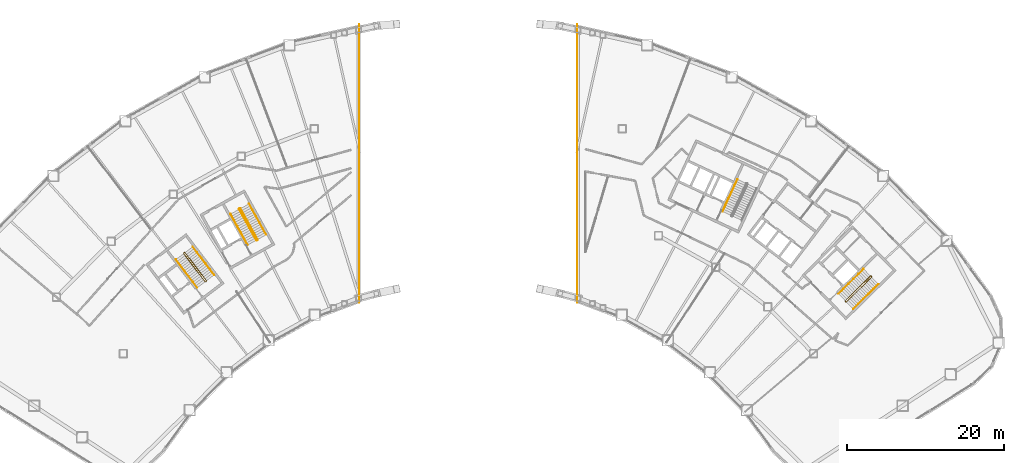
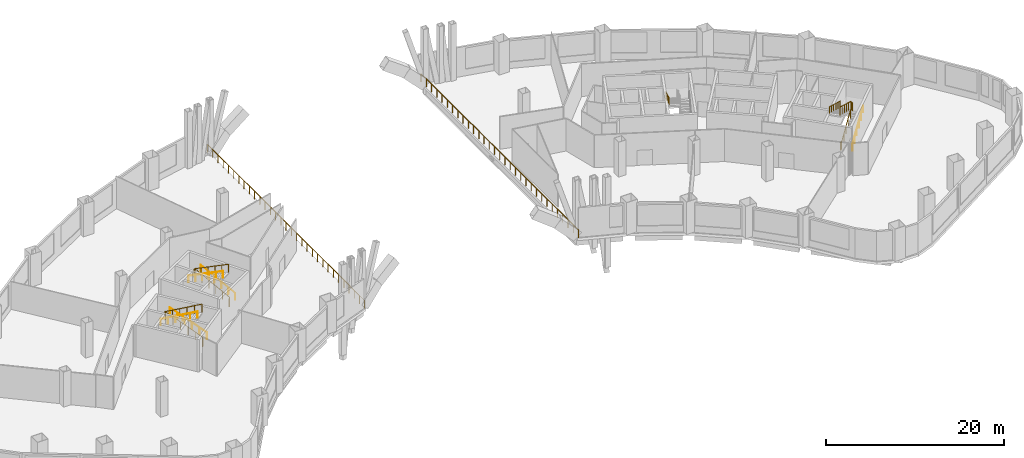
# One storey, part 13 of 14: 12 railings.
"""IFC4 building model written with IfcOpenShell, lengths in metres."""

from ifc_helpers import new_model, si_unit, direction, frame, origin, origin_2d, place, context, subcontext, project, spatial, circle, extrude, material, type_object, element, save


model = new_model("IFC4")

# Units and contexts
model_context = context("Model", 3, precision=1e-05, world=origin(), true_north=direction((0.0, 1.0)))
body_context = subcontext(model_context, "Body", "Model", "MODEL_VIEW")
ifc_project = project(units=[si_unit("LENGTHUNIT", "METRE"), si_unit("AREAUNIT", "SQUARE_METRE"), si_unit("VOLUMEUNIT", "CUBIC_METRE"), si_unit("PLANEANGLEUNIT", "RADIAN"), si_unit("MASSUNIT", "GRAM", prefix="KILO")], contexts=[model_context])

# Site, building, storey
site_placement = place(None, origin())
site = spatial("IfcSite", under=ifc_project, at=site_placement, CompositionType="ELEMENT")
building_placement = place(site_placement, origin())
building = spatial("IfcBuilding", under=site, at=building_placement, Name="Tuul Gate Civic Tower", CompositionType="ELEMENT")
storey_placement = place(building_placement, frame((0.0, 0.0, 17.10009765625)))
storey = spatial("IfcBuildingStorey", under=building, at=storey_placement, Name="Level 03", CompositionType="ELEMENT", Elevation=17.10009765625)

# Railings
ifc_material_1 = material(Name="Painted steel", Category="steel")
railing_type_1 = type_object("IfcRailingType", Name="Stair guard", PredefinedType="GUARDRAIL", material=ifc_material_1)
railing_1_placement = place(storey_placement, frame((-33.382080078125, -13.515380859375, 0.0)))
element("IfcRailing", 1, at=railing_1_placement, inside=storey, type_object=railing_type_1, Name="Level 03 ST-1 stair guard 1", PredefinedType="GUARDRAIL", context=body_context, shape_type="SweptSolid", body=[
    extrude(circle(Radius=0.02392578125, at=origin_2d()), frame((0.0, 0.0, 1.076171875), z_axis=(-0.795879841968, -0.605454603706, 0.0), x_axis=(0.605454603706, -0.795879841968, 0.0)), (0.0, 0.0, 1.0), 0.10009765625),
    extrude(circle(Radius=0.02392578125, at=origin_2d()), frame((-0.07958984375, -0.060546875, 1.076171875), z_axis=(0.408991890351, 0.599481263939, 0.688002796371), x_axis=(-0.826063974707, 0.563576356576, 0.0)), (0.0, 0.0, 1.0), 0.2177734375),
    extrude(circle(Radius=0.02392578125, at=origin_2d()), frame((0.009521484375, 0.070068359375, 1.22607421875), z_axis=(-0.541802573537, 0.711646640476, 0.44722369169), x_axis=(-0.795649622695, -0.605757111312, 0.0)), (0.0, 0.0, 1.0), 5.031005859375),
    extrude(circle(Radius=0.02392578125, at=origin_2d()), frame((-2.71630859375, 3.650390625, 3.47607421875), z_axis=(-0.990893089246, 0.134650977284, 0.0), x_axis=(-0.134650977284, -0.990893089246, 0.0)), (0.0, 0.0, 1.0), 0.07080078125),
    extrude(circle(Radius=0.02392578125, at=origin_2d()), frame((-2.786376953125, 3.659912109375, 3.47607421875), z_axis=(-0.795879841968, -0.605454603706, 0.0), x_axis=(0.605454603706, -0.795879841968, 0.0)), (0.0, 0.0, 1.0), 0.10009765625),
    extrude(circle(Radius=0.02392578125, at=origin_2d()), frame((-2.865966796875, 3.599365234375, 3.47607421875), z_axis=(-0.057447065493, -0.422751481959, 0.904423031091), x_axis=(0.990893089246, -0.134650977284, 0.0)), (0.0, 0.0, 1.0), 0.165771484375),
    extrude(circle(Radius=0.02392578125, at=origin_2d()), frame((-2.87548828125, 3.529296875, 3.6259765625), z_axis=(0.541802573537, -0.711646640476, 0.44722369169), x_axis=(0.795649622695, 0.605757111312, 0.0)), (0.0, 0.0, 1.0), 5.031005859375),
    extrude(circle(Radius=0.02099609375, at=origin_2d()), origin(), (0.0, 0.0, 1.0), 1.052001953125),
    extrude(circle(Radius=0.02099609375, at=origin_2d()), frame((-0.07958984375, -0.060546875, 0.0)), (0.0, 0.0, 1.0), 1.052001953125),
    extrude(circle(Radius=0.02099609375, at=origin_2d()), frame((0.009521484375, 0.070068359375, 0.14990234375)), (0.0, 0.0, 1.0), 1.052001953125),
    extrude(circle(Radius=0.02099609375, at=origin_2d()), frame((-0.53564453125, 0.7861328125, 0.599853515625)), (0.0, 0.0, 1.0), 1.052001953125),
    extrude(circle(Radius=0.02099609375, at=origin_2d()), frame((-1.080810546875, 1.502197265625, 1.0498046875)), (0.0, 0.0, 1.0), 1.052001953125),
    extrude(circle(Radius=0.02099609375, at=origin_2d()), frame((-1.6259765625, 2.21826171875, 1.5)), (0.0, 0.0, 1.0), 1.052001953125),
    extrude(circle(Radius=0.02099609375, at=origin_2d()), frame((-2.171142578125, 2.934326171875, 1.949951171875)), (0.0, 0.0, 1.0), 1.052001953125),
    extrude(circle(Radius=0.02099609375, at=origin_2d()), frame((-2.71630859375, 3.650390625, 2.39990234375)), (0.0, 0.0, 1.0), 1.052001953125),
    extrude(circle(Radius=0.02099609375, at=origin_2d()), frame((-2.786376953125, 3.659912109375, 2.39990234375)), (0.0, 0.0, 1.0), 1.052001953125),
    extrude(circle(Radius=0.02099609375, at=origin_2d()), frame((-2.865966796875, 3.599365234375, 2.39990234375)), (0.0, 0.0, 1.0), 1.052001953125),
    extrude(circle(Radius=0.02099609375, at=origin_2d()), frame((-2.87548828125, 3.529296875, 2.5498046875)), (0.0, 0.0, 1.0), 1.052001953125),
    extrude(circle(Radius=0.02099609375, at=origin_2d()), frame((-2.330322265625, 2.813232421875, 2.999755859375)), (0.0, 0.0, 1.0), 1.052001953125),
    extrude(circle(Radius=0.02099609375, at=origin_2d()), frame((-1.78515625, 2.09716796875, 3.44970703125)), (0.0, 0.0, 1.0), 1.052001953125),
    extrude(circle(Radius=0.02099609375, at=origin_2d()), frame((-1.239990234375, 1.381103515625, 3.89990234375)), (0.0, 0.0, 1.0), 1.052001953125),
    extrude(circle(Radius=0.02099609375, at=origin_2d()), frame((-0.69482421875, 0.6650390625, 4.349853515625)), (0.0, 0.0, 1.0), 1.052001953125),
    extrude(circle(Radius=0.02099609375, at=origin_2d()), frame((-0.149658203125, -0.051025390625, 4.7998046875)), (0.0, 0.0, 1.0), 1.052001953125),
])
railing_2_placement = place(storey_placement, frame((-26.857666015625, -8.247314453125, 0.0)))
element("IfcRailing", 2, at=railing_2_placement, inside=storey, type_object=railing_type_1, Name="Level 03 ST-2 stair guard 1", PredefinedType="GUARDRAIL", context=body_context, shape_type="SweptSolid", body=[
    extrude(circle(Radius=0.02392578125, at=origin_2d()), frame((0.0, 0.0, 1.076171875), z_axis=(-0.874616555828, -0.48481530532, 0.0), x_axis=(0.48481530532, -0.874616555828, 0.0)), (0.0, 0.0, 1.0), 0.10009765625),
    extrude(circle(Radius=0.02392578125, at=origin_2d()), frame((-0.087646484375, -0.048583984375, 1.076171875), z_axis=(0.49081399482, 0.534516610797, 0.688036056665), x_axis=(-0.736576986774, 0.676353711126, 0.0)), (0.0, 0.0, 1.0), 0.2177734375),
    extrude(circle(Radius=0.02392578125, at=origin_2d()), frame((0.019287109375, 0.06787109375, 1.22607421875), z_axis=(-0.433570456934, 0.782319295656, 0.447205968786), x_axis=(-0.874655833576, -0.484744440702, 0.0)), (0.0, 0.0, 1.0), 5.03125),
    extrude(circle(Radius=0.02392578125, at=origin_2d()), frame((-2.162109375, 4.00390625, 3.47607421875), z_axis=(-0.961914682459, 0.273349855807, 0.0), x_axis=(-0.273349855807, -0.961914682459, 0.0)), (0.0, 0.0, 1.0), 0.070556640625),
    extrude(circle(Radius=0.02392578125, at=origin_2d()), frame((-2.22998046875, 4.023193359375, 3.47607421875), z_axis=(-0.875078096442, -0.48398174049, 0.0), x_axis=(0.48398174049, -0.875078096442, 0.0)), (0.0, 0.0, 1.0), 0.099853515625),
    extrude(circle(Radius=0.02392578125, at=origin_2d()), frame((-2.3173828125, 3.974853515625, 3.47607421875), z_axis=(-0.117795287813, -0.410811066247, 0.904078833962), x_axis=(0.961263487578, -0.275631107549, 0.0)), (0.0, 0.0, 1.0), 0.165771484375),
    extrude(circle(Radius=0.02392578125, at=origin_2d()), frame((-2.3369140625, 3.90673828125, 3.6259765625), z_axis=(0.433586916566, -0.782300468042, 0.447222946062), x_axis=(0.874643084613, 0.48476744377, 0.0)), (0.0, 0.0, 1.0), 5.031005859375),
    extrude(circle(Radius=0.02099609375, at=origin_2d()), origin(), (0.0, 0.0, 1.0), 1.052001953125),
    extrude(circle(Radius=0.02099609375, at=origin_2d()), frame((-0.087646484375, -0.048583984375, 0.0)), (0.0, 0.0, 1.0), 1.052001953125),
    extrude(circle(Radius=0.02099609375, at=origin_2d()), frame((0.019287109375, 0.06787109375, 0.14990234375)), (0.0, 0.0, 1.0), 1.052001953125),
    extrude(circle(Radius=0.02099609375, at=origin_2d()), frame((-0.4169921875, 0.85498046875, 0.599853515625)), (0.0, 0.0, 1.0), 1.052001953125),
    extrude(circle(Radius=0.02099609375, at=origin_2d()), frame((-0.853271484375, 1.642333984375, 1.0498046875)), (0.0, 0.0, 1.0), 1.052001953125),
    extrude(circle(Radius=0.02099609375, at=origin_2d()), frame((-1.28955078125, 2.429443359375, 1.5)), (0.0, 0.0, 1.0), 1.052001953125),
    extrude(circle(Radius=0.02099609375, at=origin_2d()), frame((-1.725830078125, 3.216796875, 1.949951171875)), (0.0, 0.0, 1.0), 1.052001953125),
    extrude(circle(Radius=0.02099609375, at=origin_2d()), frame((-2.162109375, 4.00390625, 2.39990234375)), (0.0, 0.0, 1.0), 1.052001953125),
    extrude(circle(Radius=0.02099609375, at=origin_2d()), frame((-2.22998046875, 4.023193359375, 2.39990234375)), (0.0, 0.0, 1.0), 1.052001953125),
    extrude(circle(Radius=0.02099609375, at=origin_2d()), frame((-2.3173828125, 3.974853515625, 2.39990234375)), (0.0, 0.0, 1.0), 1.052001953125),
    extrude(circle(Radius=0.02099609375, at=origin_2d()), frame((-2.3369140625, 3.90673828125, 2.5498046875)), (0.0, 0.0, 1.0), 1.052001953125),
    extrude(circle(Radius=0.02099609375, at=origin_2d()), frame((-1.900634765625, 3.11962890625, 2.999755859375)), (0.0, 0.0, 1.0), 1.052001953125),
    extrude(circle(Radius=0.02099609375, at=origin_2d()), frame((-1.46435546875, 2.33251953125, 3.44970703125)), (0.0, 0.0, 1.0), 1.052001953125),
    extrude(circle(Radius=0.02099609375, at=origin_2d()), frame((-1.028076171875, 1.545166015625, 3.89990234375)), (0.0, 0.0, 1.0), 1.052001953125),
    extrude(circle(Radius=0.02099609375, at=origin_2d()), frame((-0.591796875, 0.758056640625, 4.349853515625)), (0.0, 0.0, 1.0), 1.052001953125),
    extrude(circle(Radius=0.02099609375, at=origin_2d()), frame((-0.155517578125, -0.029052734375, 4.7998046875)), (0.0, 0.0, 1.0), 1.052001953125),
])
railing_3_placement = place(storey_placement, frame((48.10546875, -16.134765625, 0.0)))
element("IfcRailing", 3, at=railing_3_placement, inside=storey, type_object=railing_type_1, Name="Level 03 ST-3 stair guard 1", PredefinedType="GUARDRAIL", context=body_context, shape_type="SweptSolid", body=[
    extrude(circle(Radius=0.02392578125, at=origin_2d()), frame((0.0, 0.0, 1.076171875), z_axis=(-0.698506948293, 0.715603272202, 0.0), x_axis=(-0.715603272202, -0.698506948293, 0.0)), (0.0, 0.0, 1.0), 0.099853515625),
    extrude(circle(Radius=0.02392578125, at=origin_2d()), frame((-0.06982421875, 0.071533203125, 1.076171875), z_axis=(0.645446321009, -0.331687692741, 0.688027849131), x_axis=(0.457068866502, 0.889431307788, 0.0)), (0.0, 0.0, 1.0), 0.2177734375),
    extrude(circle(Radius=0.02392578125, at=origin_2d()), frame((0.07080078125, -0.000732421875, 1.22607421875), z_axis=(0.638734809626, 0.626118304991, 0.447206564272), x_axis=(-0.700018794508, 0.714124420066, 0.0)), (0.0, 0.0, 1.0), 5.03125),
    extrude(circle(Radius=0.02392578125, at=origin_2d()), frame((3.284423828125, 3.1494140625, 3.47607421875), z_axis=(0.010344274102, 0.999946496565, 0.0), x_axis=(-0.999946496565, 0.010344274102, 0.0)), (0.0, 0.0, 1.0), 0.07080078125),
    extrude(circle(Radius=0.02392578125, at=origin_2d()), frame((3.28515625, 3.22021484375, 3.47607421875), z_axis=(-0.700974368541, 0.713186465554, 0.0), x_axis=(-0.713186465554, -0.700974368541, 0.0)), (0.0, 0.0, 1.0), 0.099853515625),
    extrude(circle(Radius=0.02392578125, at=origin_2d()), frame((3.215087890625, 3.29150390625, 3.47607421875), z_axis=(-0.427069033481, 0.004417955519, 0.904208229508), x_axis=(-0.010344274102, -0.999946496565, 0.0)), (0.0, 0.0, 1.0), 0.165771484375),
    extrude(circle(Radius=0.02392578125, at=origin_2d()), frame((3.144287109375, 3.292236328125, 3.6259765625), z_axis=(-0.638734809626, -0.626118304991, 0.447206564272), x_axis=(0.700018794508, -0.714124420066, 0.0)), (0.0, 0.0, 1.0), 5.03125),
    extrude(circle(Radius=0.02099609375, at=origin_2d()), origin(), (0.0, 0.0, 1.0), 1.052001953125),
    extrude(circle(Radius=0.02099609375, at=origin_2d()), frame((-0.06982421875, 0.071533203125, 0.0)), (0.0, 0.0, 1.0), 1.052001953125),
    extrude(circle(Radius=0.02099609375, at=origin_2d()), frame((0.07080078125, -0.000732421875, 0.14990234375)), (0.0, 0.0, 1.0), 1.052001953125),
    extrude(circle(Radius=0.02099609375, at=origin_2d()), frame((0.713623046875, 0.62939453125, 0.599853515625)), (0.0, 0.0, 1.0), 1.052001953125),
    extrude(circle(Radius=0.02099609375, at=origin_2d()), frame((1.356201171875, 1.25927734375, 1.0498046875)), (0.0, 0.0, 1.0), 1.052001953125),
    extrude(circle(Radius=0.02099609375, at=origin_2d()), frame((1.9990234375, 1.889404296875, 1.5)), (0.0, 0.0, 1.0), 1.052001953125),
    extrude(circle(Radius=0.02099609375, at=origin_2d()), frame((2.6416015625, 2.519287109375, 1.949951171875)), (0.0, 0.0, 1.0), 1.052001953125),
    extrude(circle(Radius=0.02099609375, at=origin_2d()), frame((3.284423828125, 3.1494140625, 2.39990234375)), (0.0, 0.0, 1.0), 1.052001953125),
    extrude(circle(Radius=0.02099609375, at=origin_2d()), frame((3.28515625, 3.22021484375, 2.39990234375)), (0.0, 0.0, 1.0), 1.052001953125),
    extrude(circle(Radius=0.02099609375, at=origin_2d()), frame((3.215087890625, 3.29150390625, 2.39990234375)), (0.0, 0.0, 1.0), 1.052001953125),
    extrude(circle(Radius=0.02099609375, at=origin_2d()), frame((3.144287109375, 3.292236328125, 2.5498046875)), (0.0, 0.0, 1.0), 1.052001953125),
    extrude(circle(Radius=0.02099609375, at=origin_2d()), frame((2.50146484375, 2.662109375, 2.999755859375)), (0.0, 0.0, 1.0), 1.052001953125),
    extrude(circle(Radius=0.02099609375, at=origin_2d()), frame((1.85888671875, 2.0322265625, 3.44970703125)), (0.0, 0.0, 1.0), 1.052001953125),
    extrude(circle(Radius=0.02099609375, at=origin_2d()), frame((1.216064453125, 1.402099609375, 3.89990234375)), (0.0, 0.0, 1.0), 1.052001953125),
    extrude(circle(Radius=0.02099609375, at=origin_2d()), frame((0.573486328125, 0.772216796875, 4.349853515625)), (0.0, 0.0, 1.0), 1.052001953125),
    extrude(circle(Radius=0.02099609375, at=origin_2d()), frame((-0.0693359375, 0.14208984375, 4.7998046875)), (0.0, 0.0, 1.0), 1.052001953125),
])
ifc_material_2 = material(Name="Painted steel", Category="steel")
railing_type_2 = type_object("IfcRailingType", Name="Stair handrail", PredefinedType="HANDRAIL", material=ifc_material_2)
railing_4_placement = place(storey_placement, frame((-32.3779296875, -12.688232421875, 0.14990234375)))
element("IfcRailing", 4, at=railing_4_placement, inside=storey, type_object=railing_type_2, Name="Level 03 ST-1 stair handrail 1", PredefinedType="HANDRAIL", context=body_context, shape_type="SweptSolid", body=[
    extrude(circle(Radius=0.02392578125, at=origin_2d()), frame((0.0, 0.0, 0.8759765625), z_axis=(-0.541818143522, 0.711651880073, 0.447196490301), x_axis=(-0.795643382243, -0.605765307931, 0.0)), (0.0, 0.0, 1.0), 5.03125),
    extrude(circle(Radius=0.02099609375, at=origin_2d()), origin(), (0.0, 0.0, 1.0), 0.851806640625),
    extrude(circle(Radius=0.02099609375, at=origin_2d()), frame((-0.545166015625, 0.716064453125, 0.449951171875)), (0.0, 0.0, 1.0), 0.851806640625),
    extrude(circle(Radius=0.02099609375, at=origin_2d()), frame((-1.09033203125, 1.43212890625, 0.89990234375)), (0.0, 0.0, 1.0), 0.851806640625),
    extrude(circle(Radius=0.02099609375, at=origin_2d()), frame((-1.6357421875, 2.1484375, 1.35009765625)), (0.0, 0.0, 1.0), 0.851806640625),
    extrude(circle(Radius=0.02099609375, at=origin_2d()), frame((-2.180908203125, 2.864501953125, 1.800048828125)), (0.0, 0.0, 1.0), 0.851806640625),
    extrude(circle(Radius=0.02099609375, at=origin_2d()), frame((-2.72607421875, 3.58056640625, 2.25)), (0.0, 0.0, 1.0), 0.851806640625),
])
railing_5_placement = place(storey_placement, frame((-37.252197265625, -10.743408203125, 2.5498046875)))
element("IfcRailing", 5, at=railing_5_placement, inside=storey, type_object=railing_type_2, Name="Level 03 ST-1 stair handrail 2", PredefinedType="HANDRAIL", context=body_context, shape_type="SweptSolid", body=[
    extrude(circle(Radius=0.02392578125, at=origin_2d()), frame((0.0, 0.0, 0.8759765625), z_axis=(0.541836853995, -0.711627929772, 0.447211933227), x_axis=(0.795623473507, 0.6057914562, 0.0)), (0.0, 0.0, 1.0), 5.03125),
    extrude(circle(Radius=0.02099609375, at=origin_2d()), origin(), (0.0, 0.0, 1.0), 0.851806640625),
    extrude(circle(Radius=0.02099609375, at=origin_2d()), frame((0.545166015625, -0.716064453125, 0.449951171875)), (0.0, 0.0, 1.0), 0.851806640625),
    extrude(circle(Radius=0.02099609375, at=origin_2d()), frame((1.09033203125, -1.43212890625, 0.89990234375)), (0.0, 0.0, 1.0), 0.851806640625),
    extrude(circle(Radius=0.02099609375, at=origin_2d()), frame((1.6357421875, -2.148193359375, 1.35009765625)), (0.0, 0.0, 1.0), 0.851806640625),
    extrude(circle(Radius=0.02099609375, at=origin_2d()), frame((2.180908203125, -2.8642578125, 1.800048828125)), (0.0, 0.0, 1.0), 0.851806640625),
    extrude(circle(Radius=0.02099609375, at=origin_2d()), frame((2.72607421875, -3.580322265625, 2.25)), (0.0, 0.0, 1.0), 0.851806640625),
])
railing_6_placement = place(storey_placement, frame((-25.744873046875, -7.573486328125, 0.14990234375)))
element("IfcRailing", 6, at=railing_6_placement, inside=storey, type_object=railing_type_2, Name="Level 03 ST-2 stair handrail 1", PredefinedType="HANDRAIL", context=body_context, shape_type="SweptSolid", body=[
    extrude(circle(Radius=0.02392578125, at=origin_2d()), frame((0.0, 0.0, 0.8759765625), z_axis=(-0.433570456934, 0.782319295656, 0.447205968786), x_axis=(-0.874655833576, -0.484744440702, 0.0)), (0.0, 0.0, 1.0), 5.03125),
    extrude(circle(Radius=0.02099609375, at=origin_2d()), origin(), (0.0, 0.0, 1.0), 0.851806640625),
    extrude(circle(Radius=0.02099609375, at=origin_2d()), frame((-0.436279296875, 0.787109375, 0.449951171875)), (0.0, 0.0, 1.0), 0.851806640625),
    extrude(circle(Radius=0.02099609375, at=origin_2d()), frame((-0.87255859375, 1.574462890625, 0.89990234375)), (0.0, 0.0, 1.0), 0.851806640625),
    extrude(circle(Radius=0.02099609375, at=origin_2d()), frame((-1.308837890625, 2.361572265625, 1.35009765625)), (0.0, 0.0, 1.0), 0.851806640625),
    extrude(circle(Radius=0.02099609375, at=origin_2d()), frame((-1.7451171875, 3.14892578125, 1.800048828125)), (0.0, 0.0, 1.0), 0.851806640625),
    extrude(circle(Radius=0.02099609375, at=origin_2d()), frame((-2.181396484375, 3.93603515625, 2.25)), (0.0, 0.0, 1.0), 0.851806640625),
])
railing_7_placement = place(storey_placement, frame((-30.287841796875, -4.946533203125, 2.5498046875)))
element("IfcRailing", 7, at=railing_7_placement, inside=storey, type_object=railing_type_2, Name="Level 03 ST-2 stair handrail 2", PredefinedType="HANDRAIL", context=body_context, shape_type="SweptSolid", body=[
    extrude(circle(Radius=0.02392578125, at=origin_2d()), frame((0.0, 0.0, 0.8759765625), z_axis=(0.433586916566, -0.782300468042, 0.447222946062), x_axis=(0.874643084613, 0.48476744377, 0.0)), (0.0, 0.0, 1.0), 5.031005859375),
    extrude(circle(Radius=0.02099609375, at=origin_2d()), origin(), (0.0, 0.0, 1.0), 0.851806640625),
    extrude(circle(Radius=0.02099609375, at=origin_2d()), frame((0.436279296875, -0.787109375, 0.449951171875)), (0.0, 0.0, 1.0), 0.851806640625),
    extrude(circle(Radius=0.02099609375, at=origin_2d()), frame((0.87255859375, -1.57421875, 0.89990234375)), (0.0, 0.0, 1.0), 0.851806640625),
    extrude(circle(Radius=0.02099609375, at=origin_2d()), frame((1.308837890625, -2.361572265625, 1.35009765625)), (0.0, 0.0, 1.0), 0.851806640625),
    extrude(circle(Radius=0.02099609375, at=origin_2d()), frame((1.7451171875, -3.148681640625, 1.800048828125)), (0.0, 0.0, 1.0), 0.851806640625),
    extrude(circle(Radius=0.02099609375, at=origin_2d()), frame((2.181396484375, -3.935791015625, 2.25)), (0.0, 0.0, 1.0), 0.851806640625),
])
railing_8_placement = place(storey_placement, frame((49.05126953125, -17.028076171875, 0.14990234375)))
element("IfcRailing", 8, at=railing_8_placement, inside=storey, type_object=railing_type_2, Name="Level 03 ST-3 stair handrail 1", PredefinedType="HANDRAIL", context=body_context, shape_type="SweptSolid", body=[
    extrude(circle(Radius=0.02392578125, at=origin_2d()), frame((0.0, 0.0, 0.8759765625), z_axis=(0.638734809626, 0.626118304991, 0.447206564272), x_axis=(-0.700018794508, 0.714124420066, 0.0)), (0.0, 0.0, 1.0), 5.03125),
    extrude(circle(Radius=0.02099609375, at=origin_2d()), origin(), (0.0, 0.0, 1.0), 0.851806640625),
    extrude(circle(Radius=0.02099609375, at=origin_2d()), frame((0.642822265625, 0.630126953125, 0.449951171875)), (0.0, 0.0, 1.0), 0.851806640625),
    extrude(circle(Radius=0.02099609375, at=origin_2d()), frame((1.285400390625, 1.260009765625, 0.89990234375)), (0.0, 0.0, 1.0), 0.851806640625),
    extrude(circle(Radius=0.02099609375, at=origin_2d()), frame((1.92822265625, 1.89013671875, 1.35009765625)), (0.0, 0.0, 1.0), 0.851806640625),
    extrude(circle(Radius=0.02099609375, at=origin_2d()), frame((2.57080078125, 2.52001953125, 1.800048828125)), (0.0, 0.0, 1.0), 0.851806640625),
    extrude(circle(Radius=0.02099609375, at=origin_2d()), frame((3.213623046875, 3.150146484375, 2.25)), (0.0, 0.0, 1.0), 0.851806640625),
])
railing_9_placement = place(storey_placement, frame((50.374755859375, -11.949951171875, 2.5498046875)))
element("IfcRailing", 9, at=railing_9_placement, inside=storey, type_object=railing_type_2, Name="Level 03 ST-3 stair handrail 2", PredefinedType="HANDRAIL", context=body_context, shape_type="SweptSolid", body=[
    extrude(circle(Radius=0.02392578125, at=origin_2d()), frame((0.0, 0.0, 0.8759765625), z_axis=(-0.638754216056, -0.626088801607, 0.447220151574), x_axis=(0.699991125633, -0.714151541366, 0.0)), (0.0, 0.0, 1.0), 5.031005859375),
    extrude(circle(Radius=0.02099609375, at=origin_2d()), origin(), (0.0, 0.0, 1.0), 0.851806640625),
    extrude(circle(Radius=0.02099609375, at=origin_2d()), frame((-0.642822265625, -0.6298828125, 0.449951171875)), (0.0, 0.0, 1.0), 0.851806640625),
    extrude(circle(Radius=0.02099609375, at=origin_2d()), frame((-1.285400390625, -1.260009765625, 0.89990234375)), (0.0, 0.0, 1.0), 0.851806640625),
    extrude(circle(Radius=0.02099609375, at=origin_2d()), frame((-1.92822265625, -1.889892578125, 1.35009765625)), (0.0, 0.0, 1.0), 0.851806640625),
    extrude(circle(Radius=0.02099609375, at=origin_2d()), frame((-2.57080078125, -2.52001953125, 1.800048828125)), (0.0, 0.0, 1.0), 0.851806640625),
    extrude(circle(Radius=0.02099609375, at=origin_2d()), frame((-3.213623046875, -3.14990234375, 2.25)), (0.0, 0.0, 1.0), 0.851806640625),
])
railing_10_placement = place(storey_placement, frame((34.299560546875, -0.523193359375, 2.5498046875)))
element("IfcRailing", 10, at=railing_10_placement, inside=storey, type_object=railing_type_2, Name="Level 03 ST-4 stair handrail 2", PredefinedType="HANDRAIL", context=body_context, shape_type="SweptSolid", body=[
    extrude(circle(Radius=0.02392578125, at=origin_2d()), frame((0.0, 0.0, 0.8759765625), z_axis=(-0.377973126322, -0.810635649661, 0.447220481728), x_axis=(0.906321697749, -0.42258842884, 0.0)), (0.0, 0.0, 1.0), 5.031005859375),
    extrude(circle(Radius=0.02099609375, at=origin_2d()), origin(), (0.0, 0.0, 1.0), 0.851806640625),
    extrude(circle(Radius=0.02099609375, at=origin_2d()), frame((-0.38037109375, -0.815673828125, 0.449951171875)), (0.0, 0.0, 1.0), 0.851806640625),
    extrude(circle(Radius=0.02099609375, at=origin_2d()), frame((-0.7607421875, -1.63134765625, 0.89990234375)), (0.0, 0.0, 1.0), 0.851806640625),
    extrude(circle(Radius=0.02099609375, at=origin_2d()), frame((-1.140869140625, -2.447021484375, 1.35009765625)), (0.0, 0.0, 1.0), 0.851806640625),
    extrude(circle(Radius=0.02099609375, at=origin_2d()), frame((-1.521240234375, -3.2626953125, 1.800048828125)), (0.0, 0.0, 1.0), 0.851806640625),
    extrude(circle(Radius=0.02099609375, at=origin_2d()), frame((-1.901611328125, -4.078369140625, 2.25)), (0.0, 0.0, 1.0), 0.851806640625),
])
ifc_material_3 = material(Name="Stainless steel", Category="steel")
railing_type_3 = type_object("IfcRailingType", Name="Terrace guard", PredefinedType="GUARDRAIL", material=ifc_material_3)
railing_11_placement = place(storey_placement, frame((-13.888916015625, -16.22412109375, 0.0)))
element("IfcRailing", 11, at=railing_11_placement, inside=storey, type_object=railing_type_3, Name="Guard", PredefinedType="GUARDRAIL", context=body_context, shape_type="SweptSolid", body=[
    extrude(circle(Radius=0.02392578125, at=origin_2d()), frame((0.0, 0.0, 1.076171875), z_axis=(0.0, 1.0, 0.0), x_axis=(-1.0, 0.0, 0.0)), (0.0, 0.0, 1.0), 35.42822265625),
    extrude(circle(Radius=0.02099609375, at=origin_2d()), origin(), (0.0, 0.0, 1.0), 1.052001953125),
    extrude(circle(Radius=0.02099609375, at=origin_2d()), frame((0.0, 1.180908203125, 0.0)), (0.0, 0.0, 1.0), 1.052001953125),
    extrude(circle(Radius=0.02099609375, at=origin_2d()), frame((0.0, 2.36181640625, 0.0)), (0.0, 0.0, 1.0), 1.052001953125),
    extrude(circle(Radius=0.02099609375, at=origin_2d()), frame((0.0, 3.542724609375, 0.0)), (0.0, 0.0, 1.0), 1.052001953125),
    extrude(circle(Radius=0.02099609375, at=origin_2d()), frame((0.0, 4.723876953125, 0.0)), (0.0, 0.0, 1.0), 1.052001953125),
    extrude(circle(Radius=0.02099609375, at=origin_2d()), frame((0.0, 5.90478515625, 0.0)), (0.0, 0.0, 1.0), 1.052001953125),
    extrude(circle(Radius=0.02099609375, at=origin_2d()), frame((0.0, 7.085693359375, 0.0)), (0.0, 0.0, 1.0), 1.052001953125),
    extrude(circle(Radius=0.02099609375, at=origin_2d()), frame((0.0, 8.2666015625, 0.0)), (0.0, 0.0, 1.0), 1.052001953125),
    extrude(circle(Radius=0.02099609375, at=origin_2d()), frame((0.0, 9.447509765625, 0.0)), (0.0, 0.0, 1.0), 1.052001953125),
    extrude(circle(Radius=0.02099609375, at=origin_2d()), frame((0.0, 10.62841796875, 0.0)), (0.0, 0.0, 1.0), 1.052001953125),
    extrude(circle(Radius=0.02099609375, at=origin_2d()), frame((0.0, 11.809326171875, 0.0)), (0.0, 0.0, 1.0), 1.052001953125),
    extrude(circle(Radius=0.02099609375, at=origin_2d()), frame((0.0, 12.990234375, 0.0)), (0.0, 0.0, 1.0), 1.052001953125),
    extrude(circle(Radius=0.02099609375, at=origin_2d()), frame((0.0, 14.17138671875, 0.0)), (0.0, 0.0, 1.0), 1.052001953125),
    extrude(circle(Radius=0.02099609375, at=origin_2d()), frame((0.0, 15.352294921875, 0.0)), (0.0, 0.0, 1.0), 1.052001953125),
    extrude(circle(Radius=0.02099609375, at=origin_2d()), frame((0.0, 16.533203125, 0.0)), (0.0, 0.0, 1.0), 1.052001953125),
    extrude(circle(Radius=0.02099609375, at=origin_2d()), frame((0.0, 17.714111328125, 0.0)), (0.0, 0.0, 1.0), 1.052001953125),
    extrude(circle(Radius=0.02099609375, at=origin_2d()), frame((0.0, 18.89501953125, 0.0)), (0.0, 0.0, 1.0), 1.052001953125),
    extrude(circle(Radius=0.02099609375, at=origin_2d()), frame((0.0, 20.075927734375, 0.0)), (0.0, 0.0, 1.0), 1.052001953125),
    extrude(circle(Radius=0.02099609375, at=origin_2d()), frame((0.0, 21.2568359375, 0.0)), (0.0, 0.0, 1.0), 1.052001953125),
    extrude(circle(Radius=0.02099609375, at=origin_2d()), frame((0.0, 22.43798828125, 0.0)), (0.0, 0.0, 1.0), 1.052001953125),
    extrude(circle(Radius=0.02099609375, at=origin_2d()), frame((0.0, 23.618896484375, 0.0)), (0.0, 0.0, 1.0), 1.052001953125),
    extrude(circle(Radius=0.02099609375, at=origin_2d()), frame((0.0, 24.7998046875, 0.0)), (0.0, 0.0, 1.0), 1.052001953125),
    extrude(circle(Radius=0.02099609375, at=origin_2d()), frame((0.0, 25.980712890625, 0.0)), (0.0, 0.0, 1.0), 1.052001953125),
    extrude(circle(Radius=0.02099609375, at=origin_2d()), frame((0.0, 27.16162109375, 0.0)), (0.0, 0.0, 1.0), 1.052001953125),
    extrude(circle(Radius=0.02099609375, at=origin_2d()), frame((0.0, 28.342529296875, 0.0)), (0.0, 0.0, 1.0), 1.052001953125),
    extrude(circle(Radius=0.02099609375, at=origin_2d()), frame((0.0, 29.5234375, 0.0)), (0.0, 0.0, 1.0), 1.052001953125),
    extrude(circle(Radius=0.02099609375, at=origin_2d()), frame((0.0, 30.704345703125, 0.0)), (0.0, 0.0, 1.0), 1.052001953125),
    extrude(circle(Radius=0.02099609375, at=origin_2d()), frame((0.0, 31.885498046875, 0.0)), (0.0, 0.0, 1.0), 1.052001953125),
    extrude(circle(Radius=0.02099609375, at=origin_2d()), frame((0.0, 33.06640625, 0.0)), (0.0, 0.0, 1.0), 1.052001953125),
    extrude(circle(Radius=0.02099609375, at=origin_2d()), frame((0.0, 34.247314453125, 0.0)), (0.0, 0.0, 1.0), 1.052001953125),
    extrude(circle(Radius=0.02099609375, at=origin_2d()), frame((0.0, 35.42822265625, 0.0)), (0.0, 0.0, 1.0), 1.052001953125),
])
railing_12_placement = place(storey_placement, frame((13.888916015625, -16.22412109375, 0.0)))
element("IfcRailing", 12, at=railing_12_placement, inside=storey, type_object=railing_type_3, Name="Guard", PredefinedType="GUARDRAIL", context=body_context, shape_type="SweptSolid", body=[
    extrude(circle(Radius=0.02392578125, at=origin_2d()), frame((0.0, 0.0, 1.076171875), z_axis=(0.0, 1.0, 0.0), x_axis=(-1.0, 0.0, 0.0)), (0.0, 0.0, 1.0), 35.42822265625),
    extrude(circle(Radius=0.02099609375, at=origin_2d()), origin(), (0.0, 0.0, 1.0), 1.052001953125),
    extrude(circle(Radius=0.02099609375, at=origin_2d()), frame((0.0, 1.180908203125, 0.0)), (0.0, 0.0, 1.0), 1.052001953125),
    extrude(circle(Radius=0.02099609375, at=origin_2d()), frame((0.0, 2.36181640625, 0.0)), (0.0, 0.0, 1.0), 1.052001953125),
    extrude(circle(Radius=0.02099609375, at=origin_2d()), frame((0.0, 3.542724609375, 0.0)), (0.0, 0.0, 1.0), 1.052001953125),
    extrude(circle(Radius=0.02099609375, at=origin_2d()), frame((0.0, 4.723876953125, 0.0)), (0.0, 0.0, 1.0), 1.052001953125),
    extrude(circle(Radius=0.02099609375, at=origin_2d()), frame((0.0, 5.90478515625, 0.0)), (0.0, 0.0, 1.0), 1.052001953125),
    extrude(circle(Radius=0.02099609375, at=origin_2d()), frame((0.0, 7.085693359375, 0.0)), (0.0, 0.0, 1.0), 1.052001953125),
    extrude(circle(Radius=0.02099609375, at=origin_2d()), frame((0.0, 8.2666015625, 0.0)), (0.0, 0.0, 1.0), 1.052001953125),
    extrude(circle(Radius=0.02099609375, at=origin_2d()), frame((0.0, 9.447509765625, 0.0)), (0.0, 0.0, 1.0), 1.052001953125),
    extrude(circle(Radius=0.02099609375, at=origin_2d()), frame((0.0, 10.62841796875, 0.0)), (0.0, 0.0, 1.0), 1.052001953125),
    extrude(circle(Radius=0.02099609375, at=origin_2d()), frame((0.0, 11.809326171875, 0.0)), (0.0, 0.0, 1.0), 1.052001953125),
    extrude(circle(Radius=0.02099609375, at=origin_2d()), frame((0.0, 12.990234375, 0.0)), (0.0, 0.0, 1.0), 1.052001953125),
    extrude(circle(Radius=0.02099609375, at=origin_2d()), frame((0.0, 14.17138671875, 0.0)), (0.0, 0.0, 1.0), 1.052001953125),
    extrude(circle(Radius=0.02099609375, at=origin_2d()), frame((0.0, 15.352294921875, 0.0)), (0.0, 0.0, 1.0), 1.052001953125),
    extrude(circle(Radius=0.02099609375, at=origin_2d()), frame((0.0, 16.533203125, 0.0)), (0.0, 0.0, 1.0), 1.052001953125),
    extrude(circle(Radius=0.02099609375, at=origin_2d()), frame((0.0, 17.714111328125, 0.0)), (0.0, 0.0, 1.0), 1.052001953125),
    extrude(circle(Radius=0.02099609375, at=origin_2d()), frame((0.0, 18.89501953125, 0.0)), (0.0, 0.0, 1.0), 1.052001953125),
    extrude(circle(Radius=0.02099609375, at=origin_2d()), frame((0.0, 20.075927734375, 0.0)), (0.0, 0.0, 1.0), 1.052001953125),
    extrude(circle(Radius=0.02099609375, at=origin_2d()), frame((0.0, 21.2568359375, 0.0)), (0.0, 0.0, 1.0), 1.052001953125),
    extrude(circle(Radius=0.02099609375, at=origin_2d()), frame((0.0, 22.43798828125, 0.0)), (0.0, 0.0, 1.0), 1.052001953125),
    extrude(circle(Radius=0.02099609375, at=origin_2d()), frame((0.0, 23.618896484375, 0.0)), (0.0, 0.0, 1.0), 1.052001953125),
    extrude(circle(Radius=0.02099609375, at=origin_2d()), frame((0.0, 24.7998046875, 0.0)), (0.0, 0.0, 1.0), 1.052001953125),
    extrude(circle(Radius=0.02099609375, at=origin_2d()), frame((0.0, 25.980712890625, 0.0)), (0.0, 0.0, 1.0), 1.052001953125),
    extrude(circle(Radius=0.02099609375, at=origin_2d()), frame((0.0, 27.16162109375, 0.0)), (0.0, 0.0, 1.0), 1.052001953125),
    extrude(circle(Radius=0.02099609375, at=origin_2d()), frame((0.0, 28.342529296875, 0.0)), (0.0, 0.0, 1.0), 1.052001953125),
    extrude(circle(Radius=0.02099609375, at=origin_2d()), frame((0.0, 29.5234375, 0.0)), (0.0, 0.0, 1.0), 1.052001953125),
    extrude(circle(Radius=0.02099609375, at=origin_2d()), frame((0.0, 30.704345703125, 0.0)), (0.0, 0.0, 1.0), 1.052001953125),
    extrude(circle(Radius=0.02099609375, at=origin_2d()), frame((0.0, 31.885498046875, 0.0)), (0.0, 0.0, 1.0), 1.052001953125),
    extrude(circle(Radius=0.02099609375, at=origin_2d()), frame((0.0, 33.06640625, 0.0)), (0.0, 0.0, 1.0), 1.052001953125),
    extrude(circle(Radius=0.02099609375, at=origin_2d()), frame((0.0, 34.247314453125, 0.0)), (0.0, 0.0, 1.0), 1.052001953125),
    extrude(circle(Radius=0.02099609375, at=origin_2d()), frame((0.0, 35.42822265625, 0.0)), (0.0, 0.0, 1.0), 1.052001953125),
])

save(model, "model.ifc")
